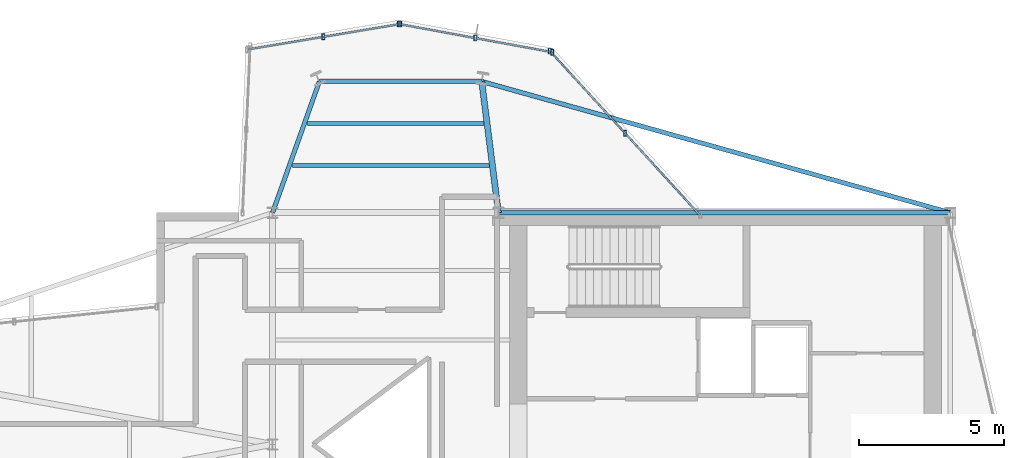
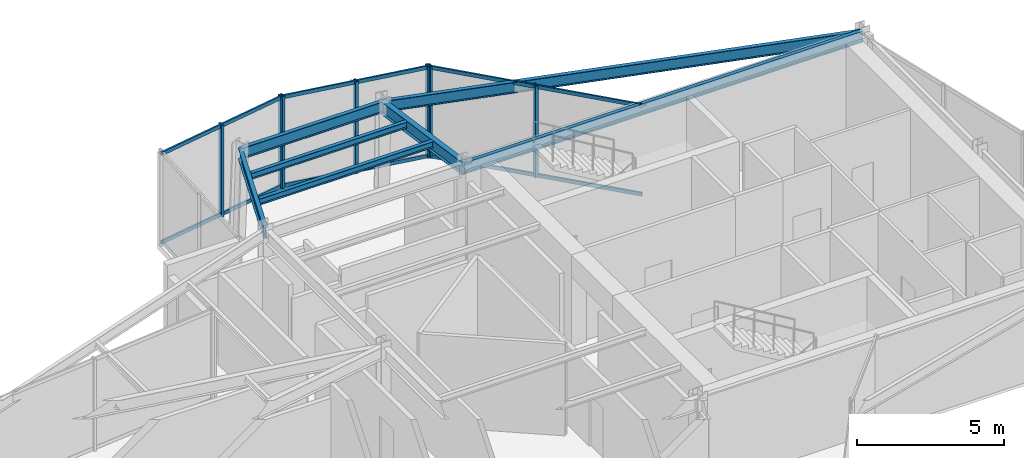
# One storey, part 6 of 13: 13 members, 7 beams, 3 elements without a shape of their own.
"""IFC4 building model written with IfcOpenShell, lengths in metres."""

from ifc_helpers import new_model, si_unit, direction, frame, origin, origin_2d, place, context, subcontext, project, spatial, hollow_rectangle, i_section, extrude, material, layer, layer_set, material_profile, profile_set, type_object, element, aggregate, save


model = new_model("IFC4")

# Units and contexts
model_context = context("Model", 3, precision=1e-05, world=origin(), true_north=direction((0.0, 1.0)))
body_context = subcontext(model_context, "Body", "Model", "MODEL_VIEW")
ifc_project = project(units=[si_unit("LENGTHUNIT", "METRE"), si_unit("AREAUNIT", "SQUARE_METRE"), si_unit("VOLUMEUNIT", "CUBIC_METRE"), si_unit("PLANEANGLEUNIT", "RADIAN"), si_unit("MASSUNIT", "GRAM", prefix="KILO")], contexts=[model_context])

# Site, building, storey
site_placement = place(None, origin())
site = spatial("IfcSite", under=ifc_project, at=site_placement, CompositionType="ELEMENT")
building_placement = place(site_placement, origin())
building = spatial("IfcBuilding", under=site, at=building_placement, Name="Veymaron Broadcast Tower", CompositionType="ELEMENT")
storey_placement = place(building_placement, frame((0.0, 0.0, 287.10009765625)))
storey = spatial("IfcBuildingStorey", under=building, at=storey_placement, Name="L67", CompositionType="ELEMENT", Elevation=287.10009765625)

# Beams
ifc_material_1 = material(Name="Structural steel ASTM A992 Gr 50", Category="steel")
ifc_material_profile_1 = material_profile(ifc_material_1, i_section(OverallWidth=0.208984375, OverallDepth=0.528076171875, WebThickness=0.009521484375, FlangeThickness=0.01318359375, at=origin_2d()), Name="W530X82")
ifc_profile_set_1 = profile_set([ifc_material_profile_1], Name="Structural steel ASTM A992 Gr 50")
beam_type_1 = type_object("IfcBeamType", Name="BM-FG4", PredefinedType="BEAM", material=ifc_profile_set_1)
beam_1_placement = place(storey_placement, frame((39.0, 32.0, 3.5458984375), z_axis=(-0.126487567317, 0.991968192693, 0.0), x_axis=(-0.991968192693, -0.126487567317, 0.0)))
element("IfcBeam", 1, at=beam_1_placement, inside=storey, type_object=beam_type_1, Name="L67 primary structural floor girder", PredefinedType="BEAM", context=body_context, shape_type="SweptSolid", body=[
    extrude(i_section(OverallWidth=0.208984375, OverallDepth=0.528076171875, WebThickness=0.009521484375, FlangeThickness=0.01318359375, at=origin_2d()), origin(), (0.0, 0.0, 1.0), 4.568603515625),
])
ifc_material_profile_2 = material_profile(ifc_material_1, i_section(OverallWidth=0.14599609375, OverallDepth=0.258056640625, WebThickness=0.006103515625, FlangeThickness=0.009033203125, at=origin_2d()), Name="W250X33")
ifc_profile_set_2 = profile_set([ifc_material_profile_2], Name="Structural steel ASTM A992 Gr 50")
beam_type_2 = type_object("IfcBeamType", Name="BM-JS4", PredefinedType="JOIST", material=ifc_profile_set_2)
beam_2_placement = place(storey_placement, frame((31.882568359375, 33.631591796875, 3.680908203125), z_axis=(1.0, 0.0, 0.0), x_axis=(0.0, 1.0, 0.0)))
element("IfcBeam", 2, at=beam_2_placement, inside=storey, type_object=beam_type_2, Name="L67 Arm-B secondary joist 1", PredefinedType="JOIST", context=body_context, shape_type="SweptSolid", body=[
    extrude(i_section(OverallWidth=0.14599609375, OverallDepth=0.258056640625, WebThickness=0.006103515625, FlangeThickness=0.009033203125, at=origin_2d()), origin(), (0.0, 0.0, 1.0), 6.809326171875),
])
beam_3_placement = place(storey_placement, frame((32.400390625, 35.081787109375, 3.680908203125), z_axis=(1.0, 0.0, 0.0), x_axis=(0.0, 1.0, 0.0)))
element("IfcBeam", 3, at=beam_3_placement, inside=storey, type_object=beam_type_2, Name="L67 Arm-B secondary joist 2", PredefinedType="JOIST", context=body_context, shape_type="SweptSolid", body=[
    extrude(i_section(OverallWidth=0.14599609375, OverallDepth=0.258056640625, WebThickness=0.006103515625, FlangeThickness=0.009033203125, at=origin_2d()), origin(), (0.0, 0.0, 1.0), 6.106689453125),
])
ifc_material_profile_3 = material_profile(ifc_material_1, i_section(OverallWidth=0.154052734375, OverallDepth=0.458984375, WebThickness=0.009033203125, FlangeThickness=0.015380859375, at=origin_2d()), Name="W460X68")
ifc_profile_set_3 = profile_set([ifc_material_profile_3], Name="Structural steel ASTM A992 Gr 50")
beam_type_3 = type_object("IfcBeamType", Name="BM-SP2", PredefinedType="SPANDREL", material=ifc_profile_set_3)
beam_4_placement = place(storey_placement, frame((39.0, 32.0, 3.580322265625), z_axis=(1.0, 0.0, 0.0), x_axis=(0.0, 1.0, 0.0)))
element("IfcBeam", 4, at=beam_4_placement, inside=storey, type_object=beam_type_3, Name="L67 primary structural floor girder", PredefinedType="SPANDREL", context=body_context, shape_type="SweptSolid", body=[
    extrude(i_section(OverallWidth=0.154052734375, OverallDepth=0.458984375, WebThickness=0.009033203125, FlangeThickness=0.015380859375, at=origin_2d()), origin(), (0.0, 0.0, 1.0), 15.60009765625),
])
beam_5_placement = place(storey_placement, frame((31.199951171875, 32.0, 3.580322265625), z_axis=(0.336307472279, 0.941752241351, 0.0), x_axis=(-0.941752241351, 0.336307472279, 0.0)))
element("IfcBeam", 5, at=beam_5_placement, inside=storey, type_object=beam_type_3, Name="L67 primary structural floor girder", PredefinedType="SPANDREL", context=body_context, shape_type="SweptSolid", body=[
    extrude(i_section(OverallWidth=0.154052734375, OverallDepth=0.458984375, WebThickness=0.009033203125, FlangeThickness=0.015380859375, at=origin_2d()), origin(), (0.0, 0.0, 1.0), 4.812255859375),
])
beam_6_placement = place(storey_placement, frame((54.60009765625, 32.0, 3.580322265625), z_axis=(-0.962930809843, 0.269748504084, 0.0), x_axis=(-0.269748504084, -0.962930809843, 0.0)))
element("IfcBeam", 6, at=beam_6_placement, inside=storey, type_object=beam_type_3, Name="L67 primary structural floor girder", PredefinedType="SPANDREL", context=body_context, shape_type="SweptSolid", body=[
    extrude(i_section(OverallWidth=0.154052734375, OverallDepth=0.458984375, WebThickness=0.009033203125, FlangeThickness=0.015380859375, at=origin_2d()), origin(), (0.0, 0.0, 1.0), 16.80078125),
])
beam_7_placement = place(storey_placement, frame((32.818359375, 36.531982421875, 3.580322265625), z_axis=(1.0, 0.0, 0.0), x_axis=(0.0, 1.0, 0.0)))
element("IfcBeam", 7, at=beam_7_placement, inside=storey, type_object=beam_type_3, Name="L67 primary structural floor girder", PredefinedType="SPANDREL", context=body_context, shape_type="SweptSolid", body=[
    extrude(i_section(OverallWidth=0.154052734375, OverallDepth=0.458984375, WebThickness=0.009033203125, FlangeThickness=0.015380859375, at=origin_2d()), origin(), (0.0, 0.0, 1.0), 5.603759765625),
])

# Curtain wall, members
ifc_material_2 = material(Name="Anodised aluminium AA 6063-T6 and laminated low-E dark glass", Category="aluminium")
ifc_layer = layer(ifc_material_2, 0.179931640625)
ifc_layer_set = layer_set([ifc_layer], Name="Anodised aluminium AA 6063-T6 and laminated low-E dark glass")
curtain_wall_type = type_object("IfcCurtainWallType", Name="CW-SYS-06", PredefinedType="NOTDEFINED", material=ifc_layer_set)
curtain_wall_1_placement = place(storey_placement, origin())
curtain_wall_1 = element("IfcCurtainWall", 8, at=curtain_wall_1_placement, inside=storey, type_object=curtain_wall_type, Name="L67 dark-glass curtain wall CW-L67-E5-1", PredefinedType="NOTDEFINED")
ifc_material_3 = material(Name="Anodised aluminium AA 6063-T6", Category="aluminium")
ifc_material_profile_4 = material_profile(ifc_material_3, hollow_rectangle(XDim=0.10009765625, YDim=0.199951171875, WallThickness=0.010009765625, at=origin_2d()), Name="RHS200X100X10")
ifc_profile_set_4 = profile_set([ifc_material_profile_4], Name="Anodised aluminium AA 6063-T6")
member_type_1 = type_object("IfcMemberType", Name="CW-MUL-01", PredefinedType="MULLION", material=ifc_profile_set_4)
member_1_placement = place(storey_placement, frame((43.3701171875, 34.74609375, 0.0), z_axis=(0.0, 0.0, 1.0), x_axis=(1.0, 0.0, 0.0)))
member_1 = element("IfcMember", 9, at=member_1_placement, type_object=member_type_1, Name="CW-L67-E5-1 mullion 1", PredefinedType="MULLION", context=body_context, shape_type="SweptSolid", body=[
    extrude(hollow_rectangle(XDim=0.10009765625, YDim=0.199951171875, WallThickness=0.010009765625, at=origin_2d()), origin(), (0.0, 0.0, 1.0), 3.809814453125),
])
member_2_placement = place(storey_placement, frame((40.7744140625, 37.58642578125, 0.0), z_axis=(0.0, 0.0, 1.0), x_axis=(1.0, 0.0, 0.0)))
member_2 = element("IfcMember", 10, at=member_2_placement, type_object=member_type_1, Name="CW-L67-E5-1 mullion 2", PredefinedType="MULLION", context=body_context, shape_type="SweptSolid", body=[
    extrude(hollow_rectangle(XDim=0.10009765625, YDim=0.199951171875, WallThickness=0.010009765625, at=origin_2d()), origin(), (0.0, 0.0, 1.0), 3.809814453125),
])

curtain_wall_2_placement = place(storey_placement, origin())
curtain_wall_2 = element("IfcCurtainWall", 11, at=curtain_wall_2_placement, inside=storey, type_object=curtain_wall_type, Name="L67 dark-glass curtain wall CW-L67-E6-1", PredefinedType="NOTDEFINED")
member_3_placement = place(storey_placement, frame((40.852294921875, 37.543212890625, 0.0), z_axis=(0.0, 0.0, 1.0), x_axis=(1.0, 0.0, 0.0)))
member_3 = element("IfcMember", 12, at=member_3_placement, type_object=member_type_1, Name="CW-L67-E6-1 mullion 0", PredefinedType="MULLION", context=body_context, shape_type="SweptSolid", body=[
    extrude(hollow_rectangle(XDim=0.10009765625, YDim=0.199951171875, WallThickness=0.010009765625, at=origin_2d()), origin(), (0.0, 0.0, 1.0), 3.809814453125),
])
member_4_placement = place(storey_placement, frame((38.2041015625, 38.029296875, 0.0), z_axis=(0.0, 0.0, 1.0), x_axis=(1.0, 0.0, 0.0)))
member_4 = element("IfcMember", 13, at=member_4_placement, type_object=member_type_1, Name="CW-L67-E6-1 mullion 1", PredefinedType="MULLION", context=body_context, shape_type="SweptSolid", body=[
    extrude(hollow_rectangle(XDim=0.10009765625, YDim=0.199951171875, WallThickness=0.010009765625, at=origin_2d()), origin(), (0.0, 0.0, 1.0), 3.809814453125),
])
member_5_placement = place(storey_placement, frame((35.555908203125, 38.515380859375, 0.0), z_axis=(0.0, 0.0, 1.0), x_axis=(1.0, 0.0, 0.0)))
member_5 = element("IfcMember", 14, at=member_5_placement, type_object=member_type_1, Name="CW-L67-E6-1 mullion 2", PredefinedType="MULLION", context=body_context, shape_type="SweptSolid", body=[
    extrude(hollow_rectangle(XDim=0.10009765625, YDim=0.199951171875, WallThickness=0.010009765625, at=origin_2d()), origin(), (0.0, 0.0, 1.0), 3.809814453125),
])

curtain_wall_3_placement = place(storey_placement, origin())
curtain_wall_3 = element("IfcCurtainWall", 15, at=curtain_wall_3_placement, inside=storey, type_object=curtain_wall_type, Name="L67 dark-glass curtain wall CW-L67-E7-1", PredefinedType="NOTDEFINED")
member_6_placement = place(storey_placement, frame((35.604248046875, 38.51513671875, 0.0), z_axis=(0.0, 0.0, 1.0), x_axis=(1.0, 0.0, 0.0)))
member_6 = element("IfcMember", 16, at=member_6_placement, type_object=member_type_1, Name="CW-L67-E7-1 mullion 0", PredefinedType="MULLION", context=body_context, shape_type="SweptSolid", body=[
    extrude(hollow_rectangle(XDim=0.10009765625, YDim=0.199951171875, WallThickness=0.010009765625, at=origin_2d()), origin(), (0.0, 0.0, 1.0), 3.809814453125),
])
member_7_placement = place(storey_placement, frame((32.9560546875, 38.072998046875, 0.0), z_axis=(0.0, 0.0, 1.0), x_axis=(1.0, 0.0, 0.0)))
member_7 = element("IfcMember", 17, at=member_7_placement, type_object=member_type_1, Name="CW-L67-E7-1 mullion 1", PredefinedType="MULLION", context=body_context, shape_type="SweptSolid", body=[
    extrude(hollow_rectangle(XDim=0.10009765625, YDim=0.199951171875, WallThickness=0.010009765625, at=origin_2d()), origin(), (0.0, 0.0, 1.0), 3.809814453125),
])

# Member
ifc_material_profile_5 = material_profile(ifc_material_3, hollow_rectangle(XDim=0.06494140625, YDim=0.14990234375, WallThickness=0.00390625, at=origin_2d()), Name="AL150X65X4")
ifc_profile_set_5 = profile_set([ifc_material_profile_5], Name="Anodised aluminium AA 6063-T6")
member_type_2 = type_object("IfcMemberType", Name="CW-TRN-01", PredefinedType="USERDEFINED", material=ifc_profile_set_5)
member_8_placement = place(storey_placement, frame((45.931884765625, 31.9423828125, 0.06982421875), z_axis=(-0.674569589879, 0.738211262722, 0.0), x_axis=(-0.738211262722, -0.674569589879, 0.0)))
member_8 = element("IfcMember", 18, at=member_8_placement, type_object=member_type_2, Name="CW-L67-E5-1 transom B", ObjectType="TRANSOM", PredefinedType="USERDEFINED", context=body_context, shape_type="SweptSolid", body=[
    extrude(hollow_rectangle(XDim=0.06494140625, YDim=0.14990234375, WallThickness=0.00390625, at=origin_2d()), origin(), (0.0, 0.0, 1.0), 7.595703125),
])

member_9_placement = place(storey_placement, frame((45.931884765625, 31.9423828125, 3.739990234375), z_axis=(-0.674569589879, 0.738211262722, 0.0), x_axis=(-0.738211262722, -0.674569589879, 0.0)))
member_9 = element("IfcMember", 19, at=member_9_placement, type_object=member_type_2, Name="CW-L67-E5-1 transom T", ObjectType="TRANSOM", PredefinedType="USERDEFINED", context=body_context, shape_type="SweptSolid", body=[
    extrude(hollow_rectangle(XDim=0.06494140625, YDim=0.14990234375, WallThickness=0.00390625, at=origin_2d()), origin(), (0.0, 0.0, 1.0), 7.595703125),
])

aggregate(curtain_wall_1, [member_1, member_2, member_8, member_9])

member_10_placement = place(storey_placement, frame((40.802978515625, 37.552001953125, 0.06982421875), z_axis=(-0.983552023681, 0.180625072218, 0.0), x_axis=(-0.180625072218, -0.983552023681, 0.0)))
member_10 = element("IfcMember", 20, at=member_10_placement, type_object=member_type_2, Name="CW-L67-E6-1 transom B", ObjectType="TRANSOM", PredefinedType="USERDEFINED", context=body_context, shape_type="SweptSolid", body=[
    extrude(hollow_rectangle(XDim=0.06494140625, YDim=0.14990234375, WallThickness=0.00390625, at=origin_2d()), origin(), (0.0, 0.0, 1.0), 5.284912109375),
])

member_11_placement = place(storey_placement, frame((40.802978515625, 37.552001953125, 3.739990234375), z_axis=(-0.983552023681, 0.180625072218, 0.0), x_axis=(-0.180625072218, -0.983552023681, 0.0)))
member_11 = element("IfcMember", 21, at=member_11_placement, type_object=member_type_2, Name="CW-L67-E6-1 transom T", ObjectType="TRANSOM", PredefinedType="USERDEFINED", context=body_context, shape_type="SweptSolid", body=[
    extrude(hollow_rectangle(XDim=0.06494140625, YDim=0.14990234375, WallThickness=0.00390625, at=origin_2d()), origin(), (0.0, 0.0, 1.0), 5.284912109375),
])

aggregate(curtain_wall_2, [member_3, member_4, member_5, member_10, member_11])

member_12_placement = place(storey_placement, frame((35.554931640625, 38.5068359375, 0.06982421875), z_axis=(-0.986358841104, -0.164609345347, 0.0), x_axis=(0.164609345347, -0.986358841104, 0.0)))
member_12 = element("IfcMember", 22, at=member_12_placement, type_object=member_type_2, Name="CW-L67-E7-1 transom B", ObjectType="TRANSOM", PredefinedType="USERDEFINED", context=body_context, shape_type="SweptSolid", body=[
    extrude(hollow_rectangle(XDim=0.06494140625, YDim=0.14990234375, WallThickness=0.00390625, at=origin_2d()), origin(), (0.0, 0.0, 1.0), 5.26953125),
])

member_13_placement = place(storey_placement, frame((35.554931640625, 38.5068359375, 3.739990234375), z_axis=(-0.986358841104, -0.164609345347, 0.0), x_axis=(0.164609345347, -0.986358841104, 0.0)))
member_13 = element("IfcMember", 23, at=member_13_placement, type_object=member_type_2, Name="CW-L67-E7-1 transom T", ObjectType="TRANSOM", PredefinedType="USERDEFINED", context=body_context, shape_type="SweptSolid", body=[
    extrude(hollow_rectangle(XDim=0.06494140625, YDim=0.14990234375, WallThickness=0.00390625, at=origin_2d()), origin(), (0.0, 0.0, 1.0), 5.26953125),
])

aggregate(curtain_wall_3, [member_6, member_7, member_12, member_13])

save(model, "model.ifc")
